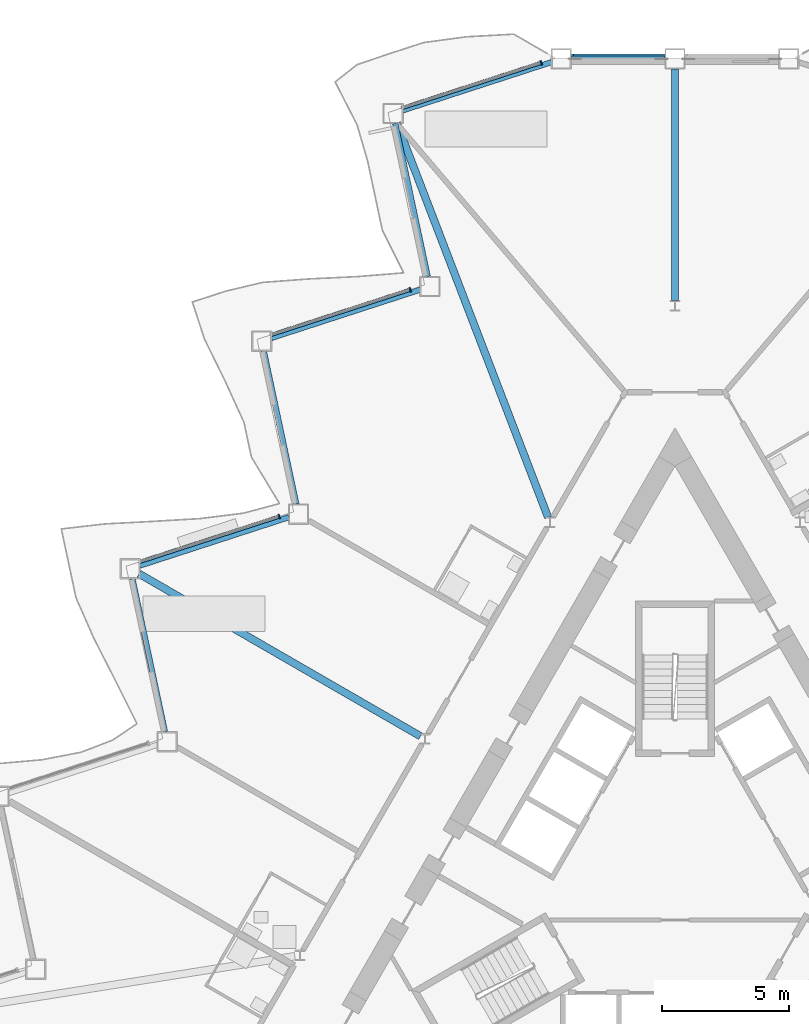
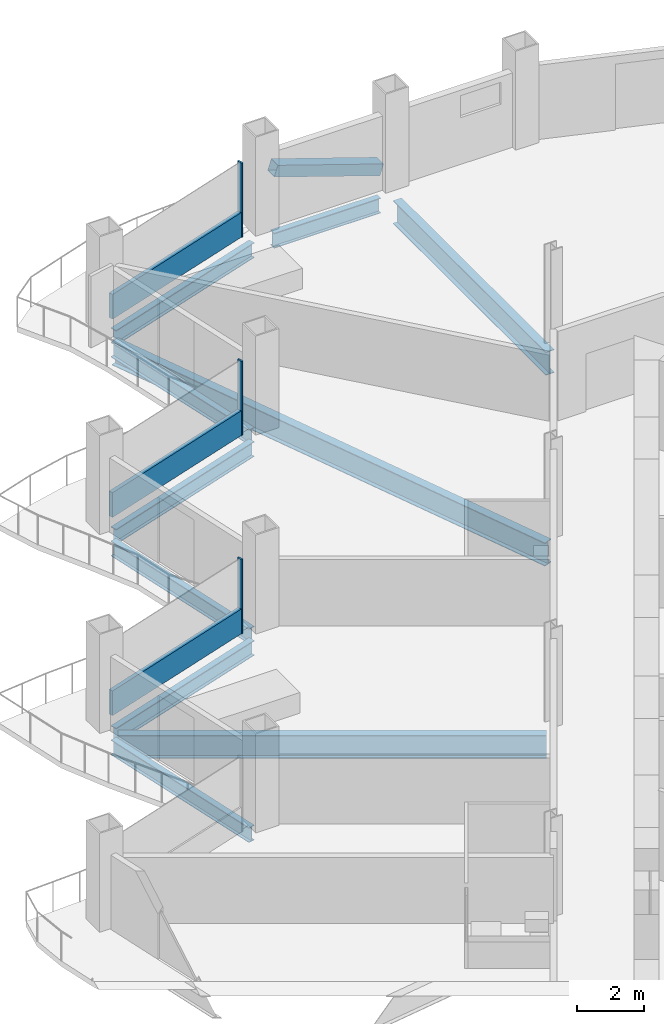
# One storey, part 8 of 24: 10 beams, 7 members, 3 elements without a shape of their own.
"""IFC4 building model written with IfcOpenShell, lengths in metres."""

from ifc_helpers import new_model, si_unit, direction, frame, origin, origin_2d, place, context, subcontext, project, spatial, rectangle, hollow_rectangle, i_section, extrude, material, layer, layer_set, material_profile, profile_set, type_object, element, aggregate, save


model = new_model("IFC4")

# Units and contexts
model_context = context("Model", 3, precision=1e-05, world=origin(), true_north=direction((0.0, 1.0)))
body_context = subcontext(model_context, "Body", "Model", "MODEL_VIEW")
ifc_project = project(units=[si_unit("LENGTHUNIT", "METRE"), si_unit("AREAUNIT", "SQUARE_METRE"), si_unit("VOLUMEUNIT", "CUBIC_METRE"), si_unit("PLANEANGLEUNIT", "RADIAN"), si_unit("MASSUNIT", "GRAM", prefix="KILO")], contexts=[model_context])

# Site, building, storey
site_placement = place(None, origin())
site = spatial("IfcSite", under=ifc_project, at=site_placement, CompositionType="ELEMENT")
building_placement = place(site_placement, origin())
building = spatial("IfcBuilding", under=site, at=building_placement, Name="Cormorant Prow Tower", CompositionType="ELEMENT")
storey_placement = place(building_placement, frame((0.0, 0.0, 201.60009765625)))
storey = spatial("IfcBuildingStorey", under=building, at=storey_placement, Name="L44", CompositionType="ELEMENT", Elevation=201.60009765625)

# Member
ifc_material_1 = material(Name="Structural steel ASTM A500 Gr C", Category="steel")
ifc_material_profile_1 = material_profile(ifc_material_1, hollow_rectangle(XDim=0.406494140625, YDim=0.406494140625, WallThickness=0.01171875, at=origin_2d()), Name="HSS16x16x1/2")
ifc_profile_set_1 = profile_set([ifc_material_profile_1], Name="Structural steel ASTM A500 Gr C")
member_type_1 = type_object("IfcMemberType", Name="Chamfer brace HSS16x16x1/2", PredefinedType="BRACE", material=ifc_profile_set_1)
member_1_placement = place(storey_placement, frame((-0.417236328125, 32.3994140625, 0.739990234375), z_axis=(-0.947999999098, 0.0, 0.318270328039), x_axis=(0.0, -1.0, 0.0)))
element("IfcMember", 1, at=member_1_placement, inside=storey, type_object=member_type_1, Name="Chamfer brace BR2 at N01 L44", PredefinedType="BRACE", context=body_context, shape_type="SweptSolid", body=[
    extrude(hollow_rectangle(XDim=0.406494140625, YDim=0.406494140625, WallThickness=0.01171875, at=origin_2d()), origin(), (0.0, 0.0, 1.0), 3.83544921875),
])

# Curtain wall, member
ifc_material_2 = material(Name="Aluminium 6063-T6", Category="aluminium")
ifc_layer = layer(ifc_material_2, 0.179931640625)
ifc_layer_set = layer_set([ifc_layer], Name="Aluminium 6063-T6")
curtain_wall_type = type_object("IfcCurtainWallType", Name="Hotel unitised curtain wall 180", PredefinedType="NOTDEFINED", material=ifc_layer_set)
curtain_wall_1_placement = place(storey_placement, origin())
curtain_wall_1 = element("IfcCurtainWall", 2, at=curtain_wall_1_placement, inside=storey, type_object=curtain_wall_type, Name="Hotel curtain wall WNW00", PredefinedType="NOTDEFINED")
ifc_material_3 = material(Name="Aluminium 6063-T6", Category="aluminium")
ifc_material_profile_2 = material_profile(ifc_material_3, rectangle(XDim=0.179931640625, YDim=0.06005859375, at=origin_2d()), Name="Hotel mullion 60x180")
ifc_profile_set_2 = profile_set([ifc_material_profile_2], Name="Aluminium 6063-T6")
member_type_2 = type_object("IfcMemberType", Name="Hotel mullion 60x180", PredefinedType="MULLION", material=ifc_profile_set_2)
member_2_placement = place(storey_placement, frame((-5.26171875, 32.246826171875, 0.0), z_axis=(0.0, 0.0, 1.0), x_axis=(0.309017074781, -0.95105649017, 0.0)))
member_2 = element("IfcMember", 3, at=member_2_placement, type_object=member_type_2, Name="Hotel mullion WNW00", PredefinedType="MULLION", context=body_context, shape_type="SweptSolid", body=[
    extrude(rectangle(XDim=0.179931640625, YDim=0.06005859375, at=origin_2d()), origin(), (0.0, 0.0, 1.0), 2.70068359375),
])

curtain_wall_2_placement = place(storey_placement, origin())
curtain_wall_2 = element("IfcCurtainWall", 4, at=curtain_wall_2_placement, inside=storey, type_object=curtain_wall_type, Name="Hotel curtain wall WNW02", PredefinedType="NOTDEFINED")
member_3_placement = place(storey_placement, frame((-10.40966796875, 23.330078125, 0.0), z_axis=(0.0, 0.0, 1.0), x_axis=(0.309017074781, -0.95105649017, 0.0)))
member_3 = element("IfcMember", 5, at=member_3_placement, type_object=member_type_2, Name="Hotel mullion WNW02", PredefinedType="MULLION", context=body_context, shape_type="SweptSolid", body=[
    extrude(rectangle(XDim=0.179931640625, YDim=0.06005859375, at=origin_2d()), origin(), (0.0, 0.0, 1.0), 2.70068359375),
])

curtain_wall_3_placement = place(storey_placement, origin())
curtain_wall_3 = element("IfcCurtainWall", 6, at=curtain_wall_3_placement, inside=storey, type_object=curtain_wall_type, Name="Hotel curtain wall WNW04", PredefinedType="NOTDEFINED")
member_4_placement = place(storey_placement, frame((-15.557861328125, 14.41357421875, 0.0), z_axis=(0.0, 0.0, 1.0), x_axis=(0.309016901785, -0.951056546379, 0.0)))
member_4 = element("IfcMember", 7, at=member_4_placement, type_object=member_type_2, Name="Hotel mullion WNW04", PredefinedType="MULLION", context=body_context, shape_type="SweptSolid", body=[
    extrude(rectangle(XDim=0.179931640625, YDim=0.06005859375, at=origin_2d()), origin(), (0.0, 0.0, 1.0), 2.70068359375),
])

# Member
ifc_material_4 = material(Name="Terracotta", Category="masonry")
ifc_material_profile_3 = material_profile(ifc_material_4, rectangle(XDim=0.139892578125, YDim=0.89990234375, at=origin_2d()), Name="Hotel terracotta spandrel rail 140x900")
ifc_profile_set_3 = profile_set([ifc_material_profile_3], Name="Terracotta")
member_type_3 = type_object("IfcMemberType", Name="Hotel terracotta spandrel rail 140x900", PredefinedType="USERDEFINED", material=ifc_profile_set_3)
member_5_placement = place(storey_placement, frame((-5.290283203125, 32.237548828125, 0.449951171875), z_axis=(-0.951058483557, -0.309010939699, 0.0), x_axis=(0.309010939699, -0.951058483557, 0.0)))
member_5 = element("IfcMember", 8, at=member_5_placement, type_object=member_type_3, Name="Hotel spandrel rail WNW00", ObjectType="TRANSOM", PredefinedType="USERDEFINED", context=body_context, shape_type="SweptSolid", body=[
    extrude(rectangle(XDim=0.139892578125, YDim=0.89990234375, at=origin_2d()), origin(), (0.0, 0.0, 1.0), 5.731201171875),
])

aggregate(curtain_wall_1, [member_2, member_5])

member_6_placement = place(storey_placement, frame((-10.438232421875, 23.321044921875, 0.449951171875), z_axis=(-0.951050032086, -0.309036950006, 0.0), x_axis=(0.309036950006, -0.951050032086, 0.0)))
member_6 = element("IfcMember", 9, at=member_6_placement, type_object=member_type_3, Name="Hotel spandrel rail WNW02", ObjectType="TRANSOM", PredefinedType="USERDEFINED", context=body_context, shape_type="SweptSolid", body=[
    extrude(rectangle(XDim=0.139892578125, YDim=0.89990234375, at=origin_2d()), origin(), (0.0, 0.0, 1.0), 5.7314453125),
])

aggregate(curtain_wall_2, [member_3, member_6])

member_7_placement = place(storey_placement, frame((-15.586181640625, 14.404296875, 0.449951171875), z_axis=(-0.951062550964, -0.308998420956, 0.0), x_axis=(0.308998420956, -0.951062550964, 0.0)))
member_7 = element("IfcMember", 10, at=member_7_placement, type_object=member_type_3, Name="Hotel spandrel rail WNW04", ObjectType="TRANSOM", PredefinedType="USERDEFINED", context=body_context, shape_type="SweptSolid", body=[
    extrude(rectangle(XDim=0.139892578125, YDim=0.89990234375, at=origin_2d()), origin(), (0.0, 0.0, 1.0), 5.7314453125),
])

aggregate(curtain_wall_3, [member_4, member_7])

# Beams
ifc_material_5 = material(Name="Structural steel ASTM A992 Gr 50", Category="steel")
ifc_material_profile_4 = material_profile(ifc_material_5, i_section(OverallWidth=0.29296875, OverallDepth=0.845703125, WebThickness=0.015380859375, FlangeThickness=0.0244140625, at=origin_2d()), Name="W33x141")
ifc_profile_set_4 = profile_set([ifc_material_profile_4], Name="Structural steel ASTM A992 Gr 50")
beam_type_1 = type_object("IfcBeamType", Name="Radial floor beam W33x141", PredefinedType="BEAM", material=ifc_profile_set_4)
beam_1_placement = place(storey_placement, frame((0.0, 22.901611328125, -0.77294921875), z_axis=(0.0, 1.0, 0.0), x_axis=(-1.0, 0.0, 0.0)))
element("IfcBeam", 11, at=beam_1_placement, inside=storey, type_object=beam_type_1, Name="Radial floor beam FB2 1 L44", PredefinedType="BEAM", context=body_context, shape_type="SweptSolid", body=[
    extrude(i_section(OverallWidth=0.29296875, OverallDepth=0.845703125, WebThickness=0.015380859375, FlangeThickness=0.0244140625, at=origin_2d()), origin(), (0.0, 0.0, 1.0), 9.097900390625),
])
beam_2_placement = place(storey_placement, frame((-4.9873046875, 14.376220703125, -0.77294921875), z_axis=(-0.358301123829, 0.933606075742, 0.0), x_axis=(-0.933606075742, -0.358301123829, 0.0)))
element("IfcBeam", 12, at=beam_2_placement, inside=storey, type_object=beam_type_1, Name="Radial floor beam FB2 2 L44", PredefinedType="BEAM", context=body_context, shape_type="SweptSolid", body=[
    extrude(i_section(OverallWidth=0.29296875, OverallDepth=0.845703125, WebThickness=0.015380859375, FlangeThickness=0.0244140625, at=origin_2d()), origin(), (0.0, 0.0, 1.0), 16.604736328125),
])
beam_3_placement = place(storey_placement, frame((-10.0048828125, 5.7763671875, -0.77294921875), z_axis=(-0.866026069776, 0.499998846467, 0.0), x_axis=(-0.499998846467, -0.866026069776, 0.0)))
element("IfcBeam", 13, at=beam_3_placement, inside=storey, type_object=beam_type_1, Name="Radial floor beam FB2 3 L44", PredefinedType="BEAM", context=body_context, shape_type="SweptSolid", body=[
    extrude(i_section(OverallWidth=0.29296875, OverallDepth=0.845703125, WebThickness=0.015380859375, FlangeThickness=0.0244140625, at=origin_2d()), origin(), (0.0, 0.0, 1.0), 12.76904296875),
])
ifc_material_6 = material(Name="Structural steel ASTM A992 Gr 50", Category="steel")
ifc_material_profile_5 = material_profile(ifc_material_6, i_section(OverallWidth=0.2138671875, OverallDepth=0.549072265625, WebThickness=0.0146484375, FlangeThickness=0.023681640625, at=origin_2d()), Name="W21x93")
ifc_profile_set_5 = profile_set([ifc_material_profile_5], Name="Structural steel ASTM A992 Gr 50")
beam_type_2 = type_object("IfcBeamType", Name="Spandrel beam W21x93", PredefinedType="SPANDREL", material=ifc_profile_set_5)
beam_4_placement = place(storey_placement, frame((-0.39990234375, 32.3994140625, -0.624755859375), z_axis=(-1.0, 0.0, 0.0), x_axis=(0.0, -1.0, 0.0)))
element("IfcBeam", 14, at=beam_4_placement, inside=storey, type_object=beam_type_2, Name="Spandrel beam SB2 N01-WNW00 L44", PredefinedType="SPANDREL", context=body_context, shape_type="SweptSolid", body=[
    extrude(i_section(OverallWidth=0.2138671875, OverallDepth=0.549072265625, WebThickness=0.0146484375, FlangeThickness=0.023681640625, at=origin_2d()), origin(), (0.0, 0.0, 1.0), 3.67041015625),
])
beam_5_placement = place(storey_placement, frame((-4.850830078125, 32.27587890625, -0.624755859375), z_axis=(-0.951057696564, -0.309013361859, 0.0), x_axis=(0.309013361859, -0.951057696564, 0.0)))
element("IfcBeam", 15, at=beam_5_placement, inside=storey, type_object=beam_type_2, Name="Spandrel beam SB2 WNW00-WNW01 L44", PredefinedType="SPANDREL", context=body_context, shape_type="SweptSolid", body=[
    extrude(i_section(OverallWidth=0.2138671875, OverallDepth=0.549072265625, WebThickness=0.0146484375, FlangeThickness=0.023681640625, at=origin_2d()), origin(), (0.0, 0.0, 1.0), 6.14990234375),
])
beam_6_placement = place(storey_placement, frame((-10.996826171875, 29.860595703125, -0.624755859375), z_axis=(0.207904811195, -0.978149063018, 0.0), x_axis=(0.978149063018, 0.207904811195, 0.0)))
element("IfcBeam", 16, at=beam_6_placement, inside=storey, type_object=beam_type_2, Name="Spandrel beam SB2 WNW01-WNW02 L44", PredefinedType="SPANDREL", context=body_context, shape_type="SweptSolid", body=[
    extrude(i_section(OverallWidth=0.2138671875, OverallDepth=0.549072265625, WebThickness=0.0146484375, FlangeThickness=0.023681640625, at=origin_2d()), origin(), (0.0, 0.0, 1.0), 6.149658203125),
])
beam_7_placement = place(storey_placement, frame((-10.015625, 23.330322265625, -0.624755859375), z_axis=(-0.951057696564, -0.309013361859, 0.0), x_axis=(0.309013361859, -0.951057696564, 0.0)))
element("IfcBeam", 17, at=beam_7_placement, inside=storey, type_object=beam_type_2, Name="Spandrel beam SB2 WNW02-WNW03 L44", PredefinedType="SPANDREL", context=body_context, shape_type="SweptSolid", body=[
    extrude(i_section(OverallWidth=0.2138671875, OverallDepth=0.549072265625, WebThickness=0.0146484375, FlangeThickness=0.023681640625, at=origin_2d()), origin(), (0.0, 0.0, 1.0), 6.14990234375),
])
beam_8_placement = place(storey_placement, frame((-16.16162109375, 20.9150390625, -0.624755859375), z_axis=(0.207904811195, -0.978149063018, 0.0), x_axis=(0.978149063018, 0.207904811195, 0.0)))
element("IfcBeam", 18, at=beam_8_placement, inside=storey, type_object=beam_type_2, Name="Spandrel beam SB2 WNW03-WNW04 L44", PredefinedType="SPANDREL", context=body_context, shape_type="SweptSolid", body=[
    extrude(i_section(OverallWidth=0.2138671875, OverallDepth=0.549072265625, WebThickness=0.0146484375, FlangeThickness=0.023681640625, at=origin_2d()), origin(), (0.0, 0.0, 1.0), 6.149658203125),
])
beam_9_placement = place(storey_placement, frame((-15.18017578125, 14.384765625, -0.624755859375), z_axis=(-0.951057696564, -0.309013361859, 0.0), x_axis=(0.309013361859, -0.951057696564, 0.0)))
element("IfcBeam", 19, at=beam_9_placement, inside=storey, type_object=beam_type_2, Name="Spandrel beam SB2 WNW04-WNW05 L44", PredefinedType="SPANDREL", context=body_context, shape_type="SweptSolid", body=[
    extrude(i_section(OverallWidth=0.2138671875, OverallDepth=0.549072265625, WebThickness=0.0146484375, FlangeThickness=0.023681640625, at=origin_2d()), origin(), (0.0, 0.0, 1.0), 6.14990234375),
])
beam_10_placement = place(storey_placement, frame((-21.326416015625, 11.969482421875, -0.624755859375), z_axis=(0.207904811195, -0.978149063018, 0.0), x_axis=(0.978149063018, 0.207904811195, 0.0)))
element("IfcBeam", 20, at=beam_10_placement, inside=storey, type_object=beam_type_2, Name="Spandrel beam SB2 WNW05-WNW06 L44", PredefinedType="SPANDREL", context=body_context, shape_type="SweptSolid", body=[
    extrude(i_section(OverallWidth=0.2138671875, OverallDepth=0.549072265625, WebThickness=0.0146484375, FlangeThickness=0.023681640625, at=origin_2d()), origin(), (0.0, 0.0, 1.0), 6.149658203125),
])

save(model, "model.ifc")
